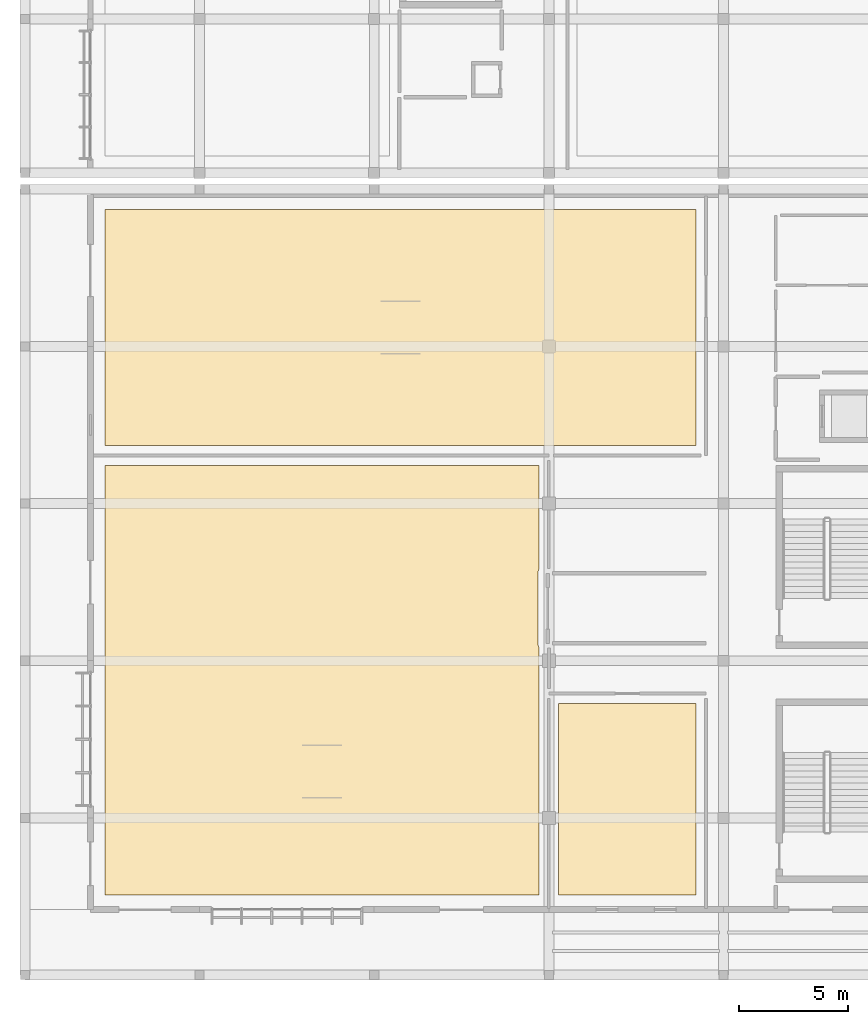
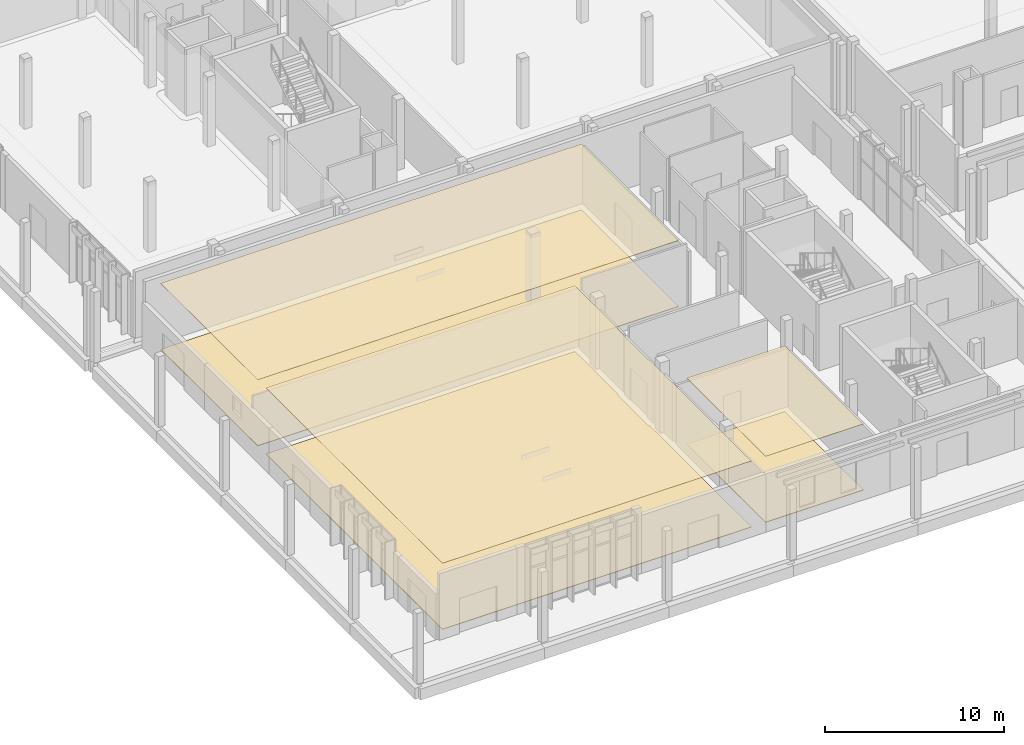
# One storey, part 134 of 151: 6 coverings.
"""IFC4 building model written with IfcOpenShell, lengths in metres."""

from ifc_helpers import new_model, si_unit, direction, frame, origin, place, context, subcontext, project, spatial, polyline, outline, extrude, material, layer, layer_set, type_object, element, save


model = new_model("IFC4")

# Units and contexts
model_context = context("Model", 3, precision=1e-05, world=origin(), true_north=direction((0.0, 1.0)))
body_context = subcontext(model_context, "Body", "Model", "MODEL_VIEW")
ifc_project = project(units=[si_unit("LENGTHUNIT", "METRE"), si_unit("AREAUNIT", "SQUARE_METRE"), si_unit("VOLUMEUNIT", "CUBIC_METRE"), si_unit("PLANEANGLEUNIT", "RADIAN"), si_unit("MASSUNIT", "GRAM", prefix="KILO")], contexts=[model_context])

# Site, building, storey
site_placement = place(None, origin())
site = spatial("IfcSite", under=ifc_project, at=site_placement, CompositionType="ELEMENT")
building_placement = place(site_placement, origin())
building = spatial("IfcBuilding", under=site, at=building_placement, Name="Chiffa Square Polytechnic", CompositionType="ELEMENT")
storey_placement = place(building_placement, origin())
storey = spatial("IfcBuildingStorey", under=building, at=storey_placement, Name="L00", CompositionType="ELEMENT", Elevation=0.0)

# Coverings
ifc_material_1 = material(Name="Perforated gypsum acoustic board")
ifc_layer_1 = layer(ifc_material_1, 0.02490234375, Name="Perforated gypsum acoustic board")
ifc_layer_set_1 = layer_set([ifc_layer_1], Name="Perforated gypsum acoustic board")
covering_type_1 = type_object("IfcCoveringType", Name="COV-CEIL-GYP", PredefinedType="CEILING", material=ifc_layer_set_1)
covering_1_placement = place(storey_placement, frame((0.0, 0.0, 4.4970703125)))
element("IfcCovering", 1, at=covering_1_placement, inside=storey, type_object=covering_type_1, Name="Suspended acoustic ceiling CL-V3-L00-007", PredefinedType="CEILING", context=body_context, shape_type="SweptSolid", body=[
    extrude(outline(polyline([(23.550048828125, 14.9951171875), (23.550048828125, 3.669921875), (3.669921875, 3.669921875), (3.669921875, 23.35009765625), (23.550048828125, 23.35009765625), (23.550048828125, 18.60498046875), (23.533935546875, 18.572021484375), (23.51904296875, 18.531005859375), (23.509033203125, 18.488037109375), (23.501953125, 18.444091796875), (23.5, 18.39990234375), (23.5, 15.199951171875), (23.501953125, 15.156005859375), (23.509033203125, 15.112060546875), (23.51904296875, 15.069091796875), (23.533935546875, 15.028076171875), (23.550048828125, 14.9951171875)])), origin(), (0.0, 0.0, 1.0), 0.02490234375),
])
covering_2_placement = place(storey_placement, frame((0.0, 0.0, 4.4970703125)))
element("IfcCovering", 2, at=covering_2_placement, inside=storey, type_object=covering_type_1, Name="Suspended acoustic ceiling CL-V3-L00-008", PredefinedType="CEILING", context=body_context, shape_type="SweptSolid", body=[
    extrude(outline(polyline([(3.669921875, 24.25), (3.669921875, 35.080078125), (30.75, 35.080078125), (30.75, 24.25), (3.669921875, 24.25)])), origin(), (0.0, 0.0, 1.0), 0.02490234375),
])
covering_3_placement = place(storey_placement, frame((0.0, 0.0, 4.4970703125)))
element("IfcCovering", 3, at=covering_3_placement, inside=storey, type_object=covering_type_1, Name="Suspended acoustic ceiling CL-V3-L00-009", PredefinedType="CEILING", context=body_context, shape_type="SweptSolid", body=[
    extrude(outline(polyline([(24.449951171875, 12.449951171875), (30.75, 12.449951171875), (30.75, 3.669921875), (24.449951171875, 3.669921875), (24.449951171875, 12.449951171875)])), origin(), (0.0, 0.0, 1.0), 0.02490234375),
])
ifc_material_2 = material(Name="Polished cementitious terrazzo")
ifc_layer_2 = layer(ifc_material_2, 0.0400390625, Name="Polished cementitious terrazzo")
ifc_layer_set_2 = layer_set([ifc_layer_2], Name="Polished cementitious terrazzo")
covering_type_2 = type_object("IfcCoveringType", Name="COV-FLR-TERRAZZO", PredefinedType="FLOORING", material=ifc_layer_set_2)
covering_4_placement = place(storey_placement, origin())
element("IfcCovering", 4, at=covering_4_placement, inside=storey, type_object=covering_type_2, Name="Polished terrazzo floor finish FL-V3-L00-006", PredefinedType="FLOORING", context=body_context, shape_type="SweptSolid", body=[
    extrude(outline(polyline([(23.550048828125, 14.9951171875), (23.550048828125, 3.669921875), (3.669921875, 3.669921875), (3.669921875, 23.35009765625), (23.550048828125, 23.35009765625), (23.550048828125, 18.60498046875), (23.533935546875, 18.572021484375), (23.51904296875, 18.531005859375), (23.509033203125, 18.488037109375), (23.501953125, 18.444091796875), (23.5, 18.39990234375), (23.5, 15.199951171875), (23.501953125, 15.156005859375), (23.509033203125, 15.112060546875), (23.51904296875, 15.069091796875), (23.533935546875, 15.028076171875), (23.550048828125, 14.9951171875)])), origin(), (0.0, 0.0, 1.0), 0.0400390625),
])
covering_5_placement = place(storey_placement, origin())
element("IfcCovering", 5, at=covering_5_placement, inside=storey, type_object=covering_type_2, Name="Polished terrazzo floor finish FL-V3-L00-007", PredefinedType="FLOORING", context=body_context, shape_type="SweptSolid", body=[
    extrude(outline(polyline([(3.669921875, 24.25), (3.669921875, 35.080078125), (30.75, 35.080078125), (30.75, 24.25), (3.669921875, 24.25)])), origin(), (0.0, 0.0, 1.0), 0.0400390625),
])
covering_6_placement = place(storey_placement, origin())
element("IfcCovering", 6, at=covering_6_placement, inside=storey, type_object=covering_type_2, Name="Polished terrazzo floor finish FL-V3-L00-008", PredefinedType="FLOORING", context=body_context, shape_type="SweptSolid", body=[
    extrude(outline(polyline([(24.449951171875, 12.449951171875), (30.75, 12.449951171875), (30.75, 3.669921875), (24.449951171875, 3.669921875), (24.449951171875, 12.449951171875)])), origin(), (0.0, 0.0, 1.0), 0.0400390625),
])

save(model, "model.ifc")
